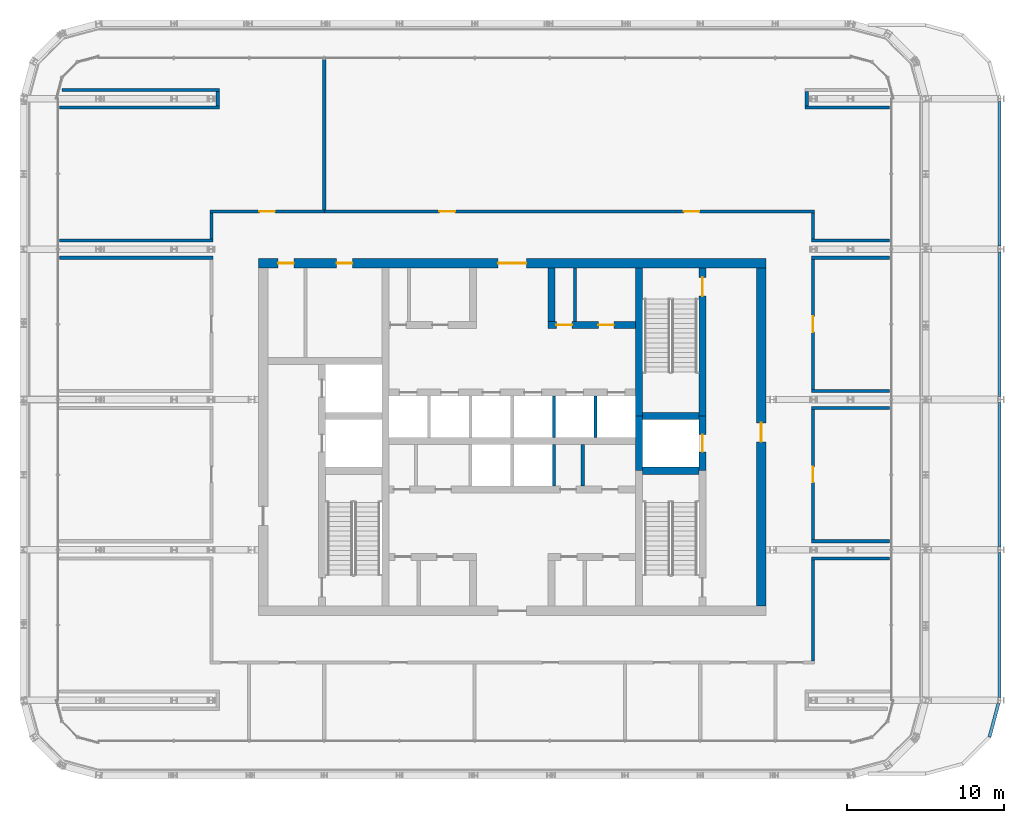
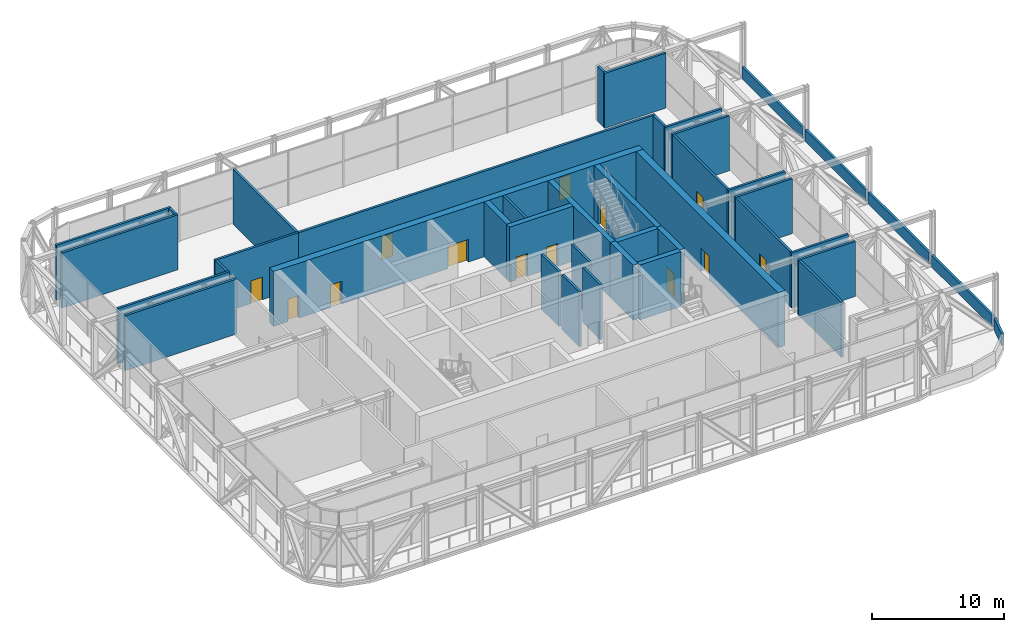
# One storey, part 20 of 26: 41 walls, 13 doors, 13 openings.
"""IFC4 building model written with IfcOpenShell, lengths in metres."""

from ifc_helpers import new_model, si_unit, direction, frame, frame_2d, origin, place, context, subcontext, project, spatial, rectangle, extrude, material, layer, layer_set, type_object, element, fill, save


model = new_model("IFC4")

# Units and contexts
model_context = context("Model", 3, precision=1e-05, world=origin(), true_north=direction((0.0, 1.0)))
body_context = subcontext(model_context, "Body", "Model", "MODEL_VIEW")
ifc_project = project(units=[si_unit("LENGTHUNIT", "METRE"), si_unit("AREAUNIT", "SQUARE_METRE"), si_unit("VOLUMEUNIT", "CUBIC_METRE"), si_unit("PLANEANGLEUNIT", "RADIAN"), si_unit("MASSUNIT", "GRAM", prefix="KILO")], contexts=[model_context])

# Site, building, storey
site_placement = place(None, origin())
site = spatial("IfcSite", under=ifc_project, at=site_placement, CompositionType="ELEMENT")
building_placement = place(site_placement, origin())
building = spatial("IfcBuilding", under=site, at=building_placement, Name="Madar Terraces", CompositionType="ELEMENT")
storey_placement = place(building_placement, frame((0.0, 0.0, 233.300048828125)))
storey = spatial("IfcBuildingStorey", under=building, at=storey_placement, Name="L61", CompositionType="ELEMENT", Elevation=233.300048828125)

# Walls
ifc_material_1 = material(Name="Concrete C55/67", Category="concrete")
ifc_layer_1 = layer(ifc_material_1, 0.449951171875)
ifc_layer_set_1 = layer_set([ifc_layer_1], Name="Concrete C55/67 (CIW5 RC wall 450)")
wall_type_1 = type_object("IfcWallType", Name="CIW5 RC wall 450", PredefinedType="SHEAR", material=ifc_layer_set_1)
wall_1_placement = place(storey_placement, frame((39.300048828125, 24.25, 0.0), z_axis=(0.0, 0.0, 1.0), x_axis=(0.0, 1.0, 0.0)))
element("IfcWall", 1, at=wall_1_placement, inside=storey, type_object=wall_type_1, Name="CORE SHAFT WALL", PredefinedType="SHEAR", context=body_context, shape_type="SweptSolid", body=[
    extrude(rectangle(XDim=3.5, YDim=0.449951171875, at=frame_2d((1.75, 0.0))), origin(), (0.0, 0.0, 1.0), 5.099853515625),
])
wall_2_placement = place(storey_placement, frame((39.300048828125, 27.75, 0.0), z_axis=(0.0, 0.0, 1.0), x_axis=(0.0, 1.0, 0.0)))
element("IfcWall", 2, at=wall_2_placement, inside=storey, type_object=wall_type_1, Name="CORE SHAFT WALL", PredefinedType="SHEAR", context=body_context, shape_type="SweptSolid", body=[
    extrude(rectangle(XDim=9.449951171875, YDim=0.449951171875, at=frame_2d((4.72509765625, 0.0))), origin(), (0.0, 0.0, 1.0), 5.099853515625),
])

# Wall, opening, door
wall_3_placement = place(storey_placement, frame((43.35009765625, 24.25, 0.0), z_axis=(0.0, 0.0, 1.0), x_axis=(0.0, 1.0, 0.0)))
wall_3 = element("IfcWall", 3, at=wall_3_placement, inside=storey, type_object=wall_type_1, Name="CORE SHAFT WALL", PredefinedType="SHEAR", context=body_context, shape_type="SweptSolid", body=[
    extrude(rectangle(XDim=3.5, YDim=0.449951171875, at=frame_2d((1.75, 0.0))), origin(), (0.0, 0.0, 1.0), 5.099853515625),
])
opening_1_placement = place(wall_3_placement, frame((1.199951171875, 0.0, 0.0)))
opening_1 = element("IfcOpeningElement", 4, at=opening_1_placement, cuts=wall_3, Name="Opening LD", PredefinedType="OPENING", context=body_context, shape_type="SweptSolid", body=[
    extrude(rectangle(XDim=1.10009765625, YDim=2.10009765625, at=frame_2d((0.550048828125, 1.050048828125))), frame((0.0, 0.23486328125, 0.0), z_axis=(0.0, -1.0, 0.0), x_axis=(1.0, 0.0, 0.0)), (0.0, 0.0, 1.0), 0.469970703125),
])
ifc_material_2 = material(Name="Stainless steel panel", Category="steel")
door_type_1 = type_object("IfcDoorType", Name="Lift landing door 1100 x 2100", OperationType="DOUBLE_DOOR_SLIDING", PredefinedType="DOOR", material=ifc_material_2)
door_1_placement = place(opening_1_placement, origin())
door_1 = element("IfcDoor", 5, at=door_1_placement, inside=storey, type_object=door_type_1, Name="LIFT LANDING DOOR", OperationType="DOUBLE_DOOR_SLIDING", OverallHeight=2.10009765625, OverallWidth=1.10009765625, PredefinedType="DOOR", context=body_context, shape_type="SweptSolid", body=[
    extrude(rectangle(XDim=1.10009765625, YDim=2.10009765625, at=frame_2d((0.550048828125, 1.050048828125))), frame((0.0, 0.02490234375, 0.0), z_axis=(0.0, -1.0, 0.0), x_axis=(1.0, 0.0, 0.0)), (0.0, 0.0, 1.0), 0.050048828125),
])
fill(opening_1, door_1)

wall_4_placement = place(storey_placement, frame((43.35009765625, 27.75, 0.0), z_axis=(0.0, 0.0, 1.0), x_axis=(0.0, 1.0, 0.0)))
wall_4 = element("IfcWall", 6, at=wall_4_placement, inside=storey, type_object=wall_type_1, Name="CORE SHAFT WALL", PredefinedType="SHEAR", context=body_context, shape_type="SweptSolid", body=[
    extrude(rectangle(XDim=9.449951171875, YDim=0.449951171875, at=frame_2d((4.72509765625, 0.0))), origin(), (0.0, 0.0, 1.0), 5.099853515625),
])
opening_2_placement = place(wall_4_placement, frame((7.64990234375, 0.0, 0.0)))
opening_2 = element("IfcOpeningElement", 7, at=opening_2_placement, cuts=wall_4, Name="Opening SD1", PredefinedType="OPENING", context=body_context, shape_type="SweptSolid", body=[
    extrude(rectangle(XDim=1.199951171875, YDim=2.10009765625, at=frame_2d((0.60009765625, 1.050048828125))), frame((0.0, 0.23486328125, 0.0), z_axis=(0.0, -1.0, 0.0), x_axis=(1.0, 0.0, 0.0)), (0.0, 0.0, 1.0), 0.469970703125),
])
ifc_material_3 = material(Name="Steel door leaf", Category="steel")
door_type_2 = type_object("IfcDoorType", Name="Stair door 1200 x 2100", OperationType="NOTDEFINED", PredefinedType="DOOR", material=ifc_material_3)
door_2_placement = place(opening_2_placement, origin())
door_2 = element("IfcDoor", 8, at=door_2_placement, inside=storey, type_object=door_type_2, Name="STAIR DOOR", OperationType="SINGLE_SWING_LEFT", OverallHeight=2.10009765625, OverallWidth=1.199951171875, PredefinedType="DOOR", context=body_context, shape_type="SweptSolid", body=[
    extrude(rectangle(XDim=1.199951171875, YDim=2.10009765625, at=frame_2d((0.60009765625, 1.050048828125))), frame((0.0, 0.02490234375, 0.0), z_axis=(0.0, -1.0, 0.0), x_axis=(1.0, 0.0, 0.0)), (0.0, 0.0, 1.0), 0.050048828125),
])
fill(opening_2, door_2)

# Walls
for number, where, z_axis, x_axis, name in (
    (9, (39.52490234375, 24.25, 0.0), (0.0, 0.0, 1.0), (1.0, 0.0, 0.0), "CORE SHAFT WALL"),
    (10, (39.52490234375, 27.75, 0.0), (0.0, 0.0, 1.0), (1.0, 0.0, 0.0), "CORE SHAFT WALL"),
):
    element("IfcWall", number, at=place(storey_placement, frame(where, z_axis=z_axis, x_axis=x_axis)), inside=storey, type_object=wall_type_1, Name=name, PredefinedType="SHEAR", context=body_context, shape_type="SweptSolid", body=[
        extrude(rectangle(XDim=3.60009765625, YDim=0.449951171875, at=frame_2d((1.800048828125, 0.0))), origin(), (0.0, 0.0, 1.0), 5.099853515625),
    ])

# Wall, openings, doors
wall_5_placement = place(storey_placement, frame((33.47509765625, 33.550048828125, 0.0), z_axis=(0.0, 0.0, 1.0), x_axis=(1.0, 0.0, 0.0)))
wall_5 = element("IfcWall", 11, at=wall_5_placement, inside=storey, type_object=wall_type_1, Name="CORE SHAFT WALL", PredefinedType="SHEAR", context=body_context, shape_type="SweptSolid", body=[
    extrude(rectangle(XDim=5.599853515625, YDim=0.449951171875, at=frame_2d((2.7998046875, 0.0))), origin(), (0.0, 0.0, 1.0), 5.099853515625),
])
opening_3_placement = place(wall_5_placement, frame((0.543701171875, 0.0, 0.0)))
opening_3 = element("IfcOpeningElement", 12, at=opening_3_placement, cuts=wall_5, Name="Opening KD2", PredefinedType="OPENING", context=body_context, shape_type="SweptSolid", body=[
    extrude(rectangle(XDim=1.0, YDim=2.10009765625, at=frame_2d((0.5, 1.050048828125))), frame((0.0, 0.23486328125, 0.0), z_axis=(0.0, -1.0, 0.0), x_axis=(1.0, 0.0, 0.0)), (0.0, 0.0, 1.0), 0.469970703125),
])
opening_4_placement = place(wall_5_placement, frame((3.21875, 0.0, 0.0)))
opening_4 = element("IfcOpeningElement", 13, at=opening_4_placement, cuts=wall_5, Name="Opening KD2", PredefinedType="OPENING", context=body_context, shape_type="SweptSolid", body=[
    extrude(rectangle(XDim=1.0, YDim=2.10009765625, at=frame_2d((0.5, 1.050048828125))), frame((0.0, 0.23486328125, 0.0), z_axis=(0.0, -1.0, 0.0), x_axis=(1.0, 0.0, 0.0)), (0.0, 0.0, 1.0), 0.469970703125),
])
ifc_material_4 = material(Name="Steel door leaf", Category="steel")
door_type_3 = type_object("IfcDoorType", Name="Service room door 1000 x 2100", OperationType="NOTDEFINED", PredefinedType="DOOR", material=ifc_material_4)
door_3_placement = place(opening_3_placement, frame((1.0, 0.0, 0.0), z_axis=(0.0, 0.0, 1.0), x_axis=(-1.0, 0.0, 0.0)))
door_3 = element("IfcDoor", 14, at=door_3_placement, inside=storey, type_object=door_type_3, Name="SERVICE ROOM DOOR", OperationType="SINGLE_SWING_RIGHT", OverallHeight=2.10009765625, OverallWidth=1.0, PredefinedType="DOOR", context=body_context, shape_type="SweptSolid", body=[
    extrude(rectangle(XDim=1.0, YDim=2.10009765625, at=frame_2d((0.5, 1.050048828125))), frame((0.0, 0.02490234375, 0.0), z_axis=(0.0, -1.0, 0.0), x_axis=(1.0, 0.0, 0.0)), (0.0, 0.0, 1.0), 0.050048828125),
])
fill(opening_3, door_3)
door_4_placement = place(opening_4_placement, frame((1.0, 0.0, 0.0), z_axis=(0.0, 0.0, 1.0), x_axis=(-1.0, 0.0, 0.0)))
door_4 = element("IfcDoor", 15, at=door_4_placement, inside=storey, type_object=door_type_3, Name="SERVICE ROOM DOOR", OperationType="SINGLE_SWING_LEFT", OverallHeight=2.10009765625, OverallWidth=1.0, PredefinedType="DOOR", context=body_context, shape_type="SweptSolid", body=[
    extrude(rectangle(XDim=1.0, YDim=2.10009765625, at=frame_2d((0.5, 1.050048828125))), frame((0.0, 0.02490234375, 0.0), z_axis=(0.0, -1.0, 0.0), x_axis=(1.0, 0.0, 0.0)), (0.0, 0.0, 1.0), 0.050048828125),
])
fill(opening_4, door_4)

# Wall
wall_6_placement = place(storey_placement, frame((33.699951171875, 33.77490234375, 0.0), z_axis=(0.0, 0.0, 1.0), x_axis=(0.0, 1.0, 0.0)))
element("IfcWall", 16, at=wall_6_placement, inside=storey, type_object=wall_type_1, Name="CORE SHAFT WALL", PredefinedType="SHEAR", context=body_context, shape_type="SweptSolid", body=[
    extrude(rectangle(XDim=3.425048828125, YDim=0.449951171875, at=frame_2d((1.71240234375, 0.0))), origin(), (0.0, 0.0, 1.0), 5.099853515625),
])

# Wall, openings, doors
ifc_material_5 = material(Name="Concrete C55/67", Category="concrete")
ifc_layer_2 = layer(ifc_material_5, 0.60009765625)
ifc_layer_set_2 = layer_set([ifc_layer_2], Name="Concrete C55/67 (CRW5 RC wall 600)")
wall_type_2 = type_object("IfcWallType", Name="CRW5 RC wall 600", PredefinedType="SHEAR", material=ifc_layer_set_2)
wall_7_placement = place(storey_placement, frame((15.0, 37.5, 0.0), z_axis=(0.0, 0.0, 1.0), x_axis=(1.0, 0.0, 0.0)))
wall_7 = element("IfcWall", 17, at=wall_7_placement, inside=storey, type_object=wall_type_2, Name="CORE OUTER WALL", PredefinedType="SHEAR", context=body_context, shape_type="SweptSolid", body=[
    extrude(rectangle(XDim=32.39990234375, YDim=0.60009765625, at=frame_2d((16.199951171875, 0.0))), origin(), (0.0, 0.0, 1.0), 5.099853515625),
])
opening_5_placement = place(wall_7_placement, frame((15.300048828125, 0.0, 0.0)))
opening_5 = element("IfcOpeningElement", 18, at=opening_5_placement, cuts=wall_7, Name="Opening KD1", PredefinedType="OPENING", context=body_context, shape_type="SweptSolid", body=[
    extrude(rectangle(XDim=1.800048828125, YDim=2.10009765625, at=frame_2d((0.89990234375, 1.050048828125))), frame((0.0, 0.31005859375, 0.0), z_axis=(0.0, -1.0, 0.0), x_axis=(1.0, 0.0, 0.0)), (0.0, 0.0, 1.0), 0.6201171875),
])
opening_6_placement = place(wall_7_placement, frame((1.25048828125, 0.0, 0.0)))
opening_6 = element("IfcOpeningElement", 19, at=opening_6_placement, cuts=wall_7, Name="Opening KD2", PredefinedType="OPENING", context=body_context, shape_type="SweptSolid", body=[
    extrude(rectangle(XDim=1.0, YDim=2.10009765625, at=frame_2d((0.5, 1.050048828125))), frame((0.0, 0.31005859375, 0.0), z_axis=(0.0, -1.0, 0.0), x_axis=(1.0, 0.0, 0.0)), (0.0, 0.0, 1.0), 0.6201171875),
])
opening_7_placement = place(wall_7_placement, frame((4.98779296875, 0.0, 0.0)))
opening_7 = element("IfcOpeningElement", 20, at=opening_7_placement, cuts=wall_7, Name="Opening KD2", PredefinedType="OPENING", context=body_context, shape_type="SweptSolid", body=[
    extrude(rectangle(XDim=1.0, YDim=2.10009765625, at=frame_2d((0.5, 1.050048828125))), frame((0.0, 0.31005859375, 0.0), z_axis=(0.0, -1.0, 0.0), x_axis=(1.0, 0.0, 0.0)), (0.0, 0.0, 1.0), 0.6201171875),
])
ifc_material_6 = material(Name="Steel door leaf", Category="steel")
door_type_4 = type_object("IfcDoorType", Name="Lobby door pair 1800 x 2100", OperationType="DOUBLE_DOOR_SINGLE_SWING", PredefinedType="DOOR", material=ifc_material_6)
door_5_placement = place(opening_5_placement, origin())
door_5 = element("IfcDoor", 21, at=door_5_placement, inside=storey, type_object=door_type_4, Name="LIFT LOBBY DOOR", OperationType="DOUBLE_DOOR_SINGLE_SWING", OverallHeight=2.10009765625, OverallWidth=1.800048828125, PredefinedType="DOOR", context=body_context, shape_type="SweptSolid", body=[
    extrude(rectangle(XDim=1.800048828125, YDim=2.10009765625, at=frame_2d((0.89990234375, 1.050048828125))), frame((0.0, 0.02490234375, 0.0), z_axis=(0.0, -1.0, 0.0), x_axis=(1.0, 0.0, 0.0)), (0.0, 0.0, 1.0), 0.050048828125),
])
fill(opening_5, door_5)
door_6_placement = place(opening_6_placement, origin())
door_6 = element("IfcDoor", 22, at=door_6_placement, inside=storey, type_object=door_type_3, Name="SERVICE ROOM DOOR", OperationType="SINGLE_SWING_RIGHT", OverallHeight=2.10009765625, OverallWidth=1.0, PredefinedType="DOOR", context=body_context, shape_type="SweptSolid", body=[
    extrude(rectangle(XDim=1.0, YDim=2.10009765625, at=frame_2d((0.5, 1.050048828125))), frame((0.0, 0.02490234375, 0.0), z_axis=(0.0, -1.0, 0.0), x_axis=(1.0, 0.0, 0.0)), (0.0, 0.0, 1.0), 0.050048828125),
])
fill(opening_6, door_6)
door_7_placement = place(opening_7_placement, origin())
door_7 = element("IfcDoor", 23, at=door_7_placement, inside=storey, type_object=door_type_3, Name="SERVICE ROOM DOOR", OperationType="SINGLE_SWING_LEFT", OverallHeight=2.10009765625, OverallWidth=1.0, PredefinedType="DOOR", context=body_context, shape_type="SweptSolid", body=[
    extrude(rectangle(XDim=1.0, YDim=2.10009765625, at=frame_2d((0.5, 1.050048828125))), frame((0.0, 0.02490234375, 0.0), z_axis=(0.0, -1.0, 0.0), x_axis=(1.0, 0.0, 0.0)), (0.0, 0.0, 1.0), 0.050048828125),
])
fill(opening_7, door_7)

# Wall, opening, door
wall_8_placement = place(storey_placement, frame((47.10009765625, 15.60009765625, 0.0), z_axis=(0.0, 0.0, 1.0), x_axis=(0.0, 1.0, 0.0)))
wall_8 = element("IfcWall", 24, at=wall_8_placement, inside=storey, type_object=wall_type_2, Name="CORE OUTER WALL", PredefinedType="SHEAR", context=body_context, shape_type="SweptSolid", body=[
    extrude(rectangle(XDim=21.599853515625, YDim=0.60009765625, at=frame_2d((10.7998046875, 0.0))), origin(), (0.0, 0.0, 1.0), 5.099853515625),
])
opening_8_placement = place(wall_8_placement, frame((10.5, 0.0, 0.0)))
opening_8 = element("IfcOpeningElement", 25, at=opening_8_placement, cuts=wall_8, Name="Opening SD1", PredefinedType="OPENING", context=body_context, shape_type="SweptSolid", body=[
    extrude(rectangle(XDim=1.199951171875, YDim=2.10009765625, at=frame_2d((0.60009765625, 1.050048828125))), frame((0.0, 0.31005859375, 0.0), z_axis=(0.0, -1.0, 0.0), x_axis=(1.0, 0.0, 0.0)), (0.0, 0.0, 1.0), 0.6201171875),
])
door_8_placement = place(opening_8_placement, origin())
door_8 = element("IfcDoor", 26, at=door_8_placement, inside=storey, type_object=door_type_2, Name="STAIR DOOR", OperationType="SINGLE_SWING_LEFT", OverallHeight=2.10009765625, OverallWidth=1.199951171875, PredefinedType="DOOR", context=body_context, shape_type="SweptSolid", body=[
    extrude(rectangle(XDim=1.199951171875, YDim=2.10009765625, at=frame_2d((0.60009765625, 1.050048828125))), frame((0.0, 0.02490234375, 0.0), z_axis=(0.0, -1.0, 0.0), x_axis=(1.0, 0.0, 0.0)), (0.0, 0.0, 1.0), 0.050048828125),
])
fill(opening_8, door_8)

# Walls
ifc_material_7 = material(Name="Masonry blockwork", Category="masonry")
ifc_layer_3 = layer(ifc_material_7, 0.199951171875)
ifc_layer_set_3 = layer_set([ifc_layer_3], Name="Core partition 200 blockwork")
wall_type_3 = type_object("IfcWallType", Name="Core partition 200 blockwork", PredefinedType="PARTITIONING", material=ifc_layer_set_3)
wall_9_placement = place(storey_placement, frame((35.697998046875, 23.27490234375, 0.0), z_axis=(0.0, 0.0, 1.0), x_axis=(0.0, 1.0, 0.0)))
element("IfcWall", 27, at=wall_9_placement, inside=storey, type_object=wall_type_3, Name="SERVICE ROOM PARTITION", PredefinedType="PARTITIONING", context=body_context, shape_type="SweptSolid", body=[
    extrude(rectangle(XDim=2.650146484375, YDim=0.199951171875, at=frame_2d((1.3251953125, 0.0))), origin(), (0.0, 0.0, 1.0), 5.099853515625),
])
wall_10_placement = place(storey_placement, frame((35.21240234375, 33.77490234375, 0.0), z_axis=(0.0, 0.0, 1.0), x_axis=(0.0, 1.0, 0.0)))
element("IfcWall", 28, at=wall_10_placement, inside=storey, type_object=wall_type_3, Name="SERVICE ROOM PARTITION", PredefinedType="PARTITIONING", context=body_context, shape_type="SweptSolid", body=[
    extrude(rectangle(XDim=3.425048828125, YDim=0.199951171875, at=frame_2d((1.71240234375, 0.0))), origin(), (0.0, 0.0, 1.0), 5.099853515625),
])
ifc_material_8 = material(Name="Concrete C40/50", Category="concrete")
ifc_layer_4 = layer(ifc_material_8, 0.199951171875)
ifc_layer_set_4 = layer_set([ifc_layer_4], Name="Core shaft dividing wall 200 C40/50")
wall_type_4 = type_object("IfcWallType", Name="Core shaft dividing wall 200 C40/50", PredefinedType="SOLIDWALL", material=ifc_layer_set_4)
wall_11_placement = place(storey_placement, frame((33.8583984375, 23.27490234375, 0.0), z_axis=(0.0, 0.0, 1.0), x_axis=(0.0, 1.0, 0.0)))
element("IfcWall", 29, at=wall_11_placement, inside=storey, type_object=wall_type_4, Name="SHAFT DIVIDING WALL", PredefinedType="SOLIDWALL", context=body_context, shape_type="SweptSolid", body=[
    extrude(rectangle(XDim=2.650146484375, YDim=0.199951171875, at=frame_2d((1.3251953125, 0.0))), origin(), (0.0, 0.0, 1.0), 5.099853515625),
])
for number, where, z_axis, x_axis, name in (
    (30, (33.8583984375, 26.375, 0.0), (0.0, 0.0, 1.0), (0.0, 1.0, 0.0), "SHAFT DIVIDING WALL"),
    (31, (36.5166015625, 26.375, 0.0), (0.0, 0.0, 1.0), (0.0, 1.0, 0.0), "SHAFT DIVIDING WALL"),
):
    element("IfcWall", number, at=place(storey_placement, frame(where, z_axis=z_axis, x_axis=x_axis)), inside=storey, type_object=wall_type_4, Name=name, PredefinedType="SOLIDWALL", context=body_context, shape_type="SweptSolid", body=[
        extrude(rectangle(XDim=2.64990234375, YDim=0.199951171875, at=frame_2d((1.324951171875, 0.0))), origin(), (0.0, 0.0, 1.0), 5.099853515625),
    ])
ifc_material_9 = material(Name="Blockwork", Category="masonry")
ifc_layer_5 = layer(ifc_material_9, 0.199951171875)
ifc_layer_set_5 = layer_set([ifc_layer_5], Name="Partition 200 EI 120")
wall_type_5 = type_object("IfcWallType", Name="Partition 200 EI 120", PredefinedType="PARTITIONING", material=ifc_layer_set_5)
for number, where, z_axis, x_axis, name in (
    (32, (50.300048828125, 18.64990234375, 0.0), (0.0, 0.0, 1.0), (1.0, 0.0, 0.0), "Wall TRANSFORMER ROOM / TRUSS SLOT"),
    (33, (50.300048828125, 19.75, 0.0), (0.0, 0.0, 1.0), (1.0, 0.0, 0.0), "Wall STORE PLANT ROOM / TRUSS SLOT"),
    (34, (50.300048828125, 28.25, 0.0), (0.0, 0.0, 1.0), (1.0, 0.0, 0.0), "Wall STORE PLANT ROOM / TRUSS SLOT"),
    (35, (50.300048828125, 29.35009765625, 0.0), (0.0, 0.0, 1.0), (1.0, 0.0, 0.0), "Wall SPRINKLER TANK ROOM / TRUSS SLOT"),
):
    element("IfcWall", number, at=place(storey_placement, frame(where, z_axis=z_axis, x_axis=x_axis)), inside=storey, type_object=wall_type_5, Name=name, PredefinedType="PARTITIONING", context=body_context, shape_type="SweptSolid", body=[
        extrude(rectangle(XDim=5.0, YDim=0.199951171875, at=frame_2d((2.5, 0.0))), origin(), (0.0, 0.0, 1.0), 5.099853515625),
    ])
wall_12_placement = place(storey_placement, frame((2.300048828125, 37.85009765625, 0.0), z_axis=(0.0, 0.0, 1.0), x_axis=(1.0, 0.0, 0.0)))
element("IfcWall", 36, at=wall_12_placement, inside=storey, type_object=wall_type_5, Name="Wall ELECTRICAL SWITCH ROOM / TRUSS SLOT", PredefinedType="PARTITIONING", context=body_context, shape_type="SweptSolid", body=[
    extrude(rectangle(XDim=9.800048828125, YDim=0.199951171875, at=frame_2d((4.89990234375, 0.0))), origin(), (0.0, 0.0, 1.0), 5.099853515625),
])
wall_13_placement = place(storey_placement, frame((50.300048828125, 37.85009765625, 0.0), z_axis=(0.0, 0.0, 1.0), x_axis=(1.0, 0.0, 0.0)))
element("IfcWall", 37, at=wall_13_placement, inside=storey, type_object=wall_type_5, Name="Wall SPRINKLER TANK ROOM / TRUSS SLOT", PredefinedType="PARTITIONING", context=body_context, shape_type="SweptSolid", body=[
    extrude(rectangle(XDim=5.0, YDim=0.199951171875, at=frame_2d((2.5, 0.0))), origin(), (0.0, 0.0, 1.0), 5.099853515625),
])
wall_14_placement = place(storey_placement, frame((2.300048828125, 38.949951171875, 0.0), z_axis=(0.0, 0.0, 1.0), x_axis=(1.0, 0.0, 0.0)))
element("IfcWall", 38, at=wall_14_placement, inside=storey, type_object=wall_type_5, Name="Wall AIR HANDLING PLANT ROOM / TRUSS SLOT", PredefinedType="PARTITIONING", context=body_context, shape_type="SweptSolid", body=[
    extrude(rectangle(XDim=9.800048828125, YDim=0.199951171875, at=frame_2d((4.89990234375, 0.0))), origin(), (0.0, 0.0, 1.0), 5.099853515625),
])

# Wall, opening, door
wall_15_placement = place(storey_placement, frame((11.89990234375, 40.800048828125, 0.0), z_axis=(0.0, 0.0, 1.0), x_axis=(1.0, 0.0, 0.0)))
wall_15 = element("IfcWall", 39, at=wall_15_placement, inside=storey, type_object=wall_type_5, Name="Wall AIR HANDLING PLANT ROOM / RING CORRIDOR", PredefinedType="PARTITIONING", context=body_context, shape_type="SweptSolid", body=[
    extrude(rectangle(XDim=7.300048828125, YDim=0.199951171875, at=frame_2d((3.64990234375, 0.0))), origin(), (0.0, 0.0, 1.0), 5.099853515625),
])
opening_9_placement = place(wall_15_placement, frame((3.14990234375, 0.0, 0.0)))
opening_9 = element("IfcOpeningElement", 40, at=opening_9_placement, cuts=wall_15, Name="Opening D33", PredefinedType="OPENING", context=body_context, shape_type="SweptSolid", body=[
    extrude(rectangle(XDim=1.0, YDim=2.10009765625, at=frame_2d((0.5, 1.050048828125))), frame((0.0, 0.10986328125, 0.0), z_axis=(0.0, -1.0, 0.0), x_axis=(1.0, 0.0, 0.0)), (0.0, 0.0, 1.0), 0.219970703125),
])
ifc_material_10 = material(Name="Timber door leaf, fire-rated", Category="wood")
door_type_5 = type_object("IfcDoorType", Name="Podium door 1000 x 2100 FD90S", OperationType="NOTDEFINED", PredefinedType="DOOR", material=ifc_material_10)
door_9_placement = place(opening_9_placement, origin())
door_9 = element("IfcDoor", 41, at=door_9_placement, inside=storey, type_object=door_type_5, Name="Door AIR HANDLING PLANT ROOM / RING CORRIDOR", OperationType="SINGLE_SWING_RIGHT", OverallHeight=2.10009765625, OverallWidth=1.0, PredefinedType="DOOR", context=body_context, shape_type="SweptSolid", body=[
    extrude(rectangle(XDim=1.0, YDim=2.10009765625, at=frame_2d((0.5, 1.050048828125))), frame((0.0, 0.02490234375, 0.0), z_axis=(0.0, -1.0, 0.0), x_axis=(1.0, 0.0, 0.0)), (0.0, 0.0, 1.0), 0.050048828125),
])
fill(opening_9, door_9)

# Walls
wall_16_placement = place(storey_placement, frame((2.300048828125, 47.449951171875, 0.0), z_axis=(0.0, 0.0, 1.0), x_axis=(1.0, 0.0, 0.0)))
element("IfcWall", 42, at=wall_16_placement, inside=storey, type_object=wall_type_5, Name="Wall AIR HANDLING PLANT ROOM / TRUSS SLOT", PredefinedType="PARTITIONING", context=body_context, shape_type="SweptSolid", body=[
    extrude(rectangle(XDim=10.199951171875, YDim=0.199951171875, at=frame_2d((5.10009765625, 0.0))), origin(), (0.0, 0.0, 1.0), 5.099853515625),
])
wall_17_placement = place(storey_placement, frame((2.449951171875, 48.550048828125, 0.0), z_axis=(0.0, 0.0, 1.0), x_axis=(1.0, 0.0, 0.0)))
element("IfcWall", 43, at=wall_17_placement, inside=storey, type_object=wall_type_5, Name="Wall AIR HANDLING PLANT ROOM / TRUSS SLOT", PredefinedType="PARTITIONING", context=body_context, shape_type="SweptSolid", body=[
    extrude(rectangle(XDim=10.050048828125, YDim=0.199951171875, at=frame_2d((5.02490234375, 0.0))), origin(), (0.0, 0.0, 1.0), 5.099853515625),
])
wall_18_placement = place(storey_placement, frame((12.0, 39.050048828125, 0.0), z_axis=(0.0, 0.0, 1.0), x_axis=(0.0, 1.0, 0.0)))
element("IfcWall", 44, at=wall_18_placement, inside=storey, type_object=wall_type_5, Name="Wall AIR HANDLING PLANT ROOM / RING CORRIDOR", PredefinedType="PARTITIONING", context=body_context, shape_type="SweptSolid", body=[
    extrude(rectangle(XDim=1.64990234375, YDim=0.199951171875, at=frame_2d((0.824951171875, 0.0))), origin(), (0.0, 0.0, 1.0), 5.099853515625),
])
wall_19_placement = place(storey_placement, frame((12.39990234375, 47.550048828125, 0.0), z_axis=(0.0, 0.0, 1.0), x_axis=(0.0, 1.0, 0.0)))
element("IfcWall", 45, at=wall_19_placement, inside=storey, type_object=wall_type_5, Name="Wall AIR HANDLING PLANT ROOM / TRUSS SLOT", PredefinedType="PARTITIONING", context=body_context, shape_type="SweptSolid", body=[
    extrude(rectangle(XDim=0.89990234375, YDim=0.199951171875, at=frame_2d((0.449951171875, 0.0))), origin(), (0.0, 0.0, 1.0), 5.099853515625),
])
wall_20_placement = place(storey_placement, frame((19.199951171875, 40.89990234375, 0.0), z_axis=(0.0, 0.0, 1.0), x_axis=(0.0, 1.0, 0.0)))
element("IfcWall", 46, at=wall_20_placement, inside=storey, type_object=wall_type_5, Name="Wall AIR HANDLING PLANT ROOM / REFUGE AREA R4", PredefinedType="PARTITIONING", context=body_context, shape_type="SweptSolid", body=[
    extrude(rectangle(XDim=9.60009765625, YDim=0.199951171875, at=frame_2d((4.800048828125, 0.0))), origin(), (0.0, 0.0, 1.0), 5.099853515625),
])
wall_21_placement = place(storey_placement, frame((50.39990234375, 12.10009765625, 0.0), z_axis=(0.0, 0.0, 1.0), x_axis=(0.0, 1.0, 0.0)))
element("IfcWall", 47, at=wall_21_placement, inside=storey, type_object=wall_type_5, Name="Wall TRANSFORMER ROOM / RING CORRIDOR", PredefinedType="PARTITIONING", context=body_context, shape_type="SweptSolid", body=[
    extrude(rectangle(XDim=6.449951171875, YDim=0.199951171875, at=frame_2d((3.22509765625, 0.0))), origin(), (0.0, 0.0, 1.0), 5.099853515625),
])

# Wall, opening, door
wall_22_placement = place(storey_placement, frame((50.39990234375, 28.14990234375, 0.0), z_axis=(0.0, 0.0, 1.0), x_axis=(0.0, -1.0, 0.0)))
wall_22 = element("IfcWall", 48, at=wall_22_placement, inside=storey, type_object=wall_type_5, Name="Wall STORE PLANT ROOM / RING CORRIDOR", PredefinedType="PARTITIONING", context=body_context, shape_type="SweptSolid", body=[
    extrude(rectangle(XDim=8.2998046875, YDim=0.199951171875, at=frame_2d((4.14990234375, 0.0))), origin(), (0.0, 0.0, 1.0), 5.099853515625),
])
opening_10_placement = place(wall_22_placement, frame((3.64990234375, 0.0, 0.0)))
opening_10 = element("IfcOpeningElement", 49, at=opening_10_placement, cuts=wall_22, Name="Opening D33", PredefinedType="OPENING", context=body_context, shape_type="SweptSolid", body=[
    extrude(rectangle(XDim=1.0, YDim=2.10009765625, at=frame_2d((0.5, 1.050048828125))), frame((0.0, 0.10986328125, 0.0), z_axis=(0.0, -1.0, 0.0), x_axis=(1.0, 0.0, 0.0)), (0.0, 0.0, 1.0), 0.219970703125),
])
door_10_placement = place(opening_10_placement, origin())
door_10 = element("IfcDoor", 50, at=door_10_placement, inside=storey, type_object=door_type_5, Name="Door STORE PLANT ROOM / RING CORRIDOR", OperationType="SINGLE_SWING_LEFT", OverallHeight=2.10009765625, OverallWidth=1.0, PredefinedType="DOOR", context=body_context, shape_type="SweptSolid", body=[
    extrude(rectangle(XDim=1.0, YDim=2.10009765625, at=frame_2d((0.5, 1.050048828125))), frame((0.0, 0.02490234375, 0.0), z_axis=(0.0, -1.0, 0.0), x_axis=(1.0, 0.0, 0.0)), (0.0, 0.0, 1.0), 0.050048828125),
])
fill(opening_10, door_10)

wall_23_placement = place(storey_placement, frame((50.39990234375, 37.75, 0.0), z_axis=(0.0, 0.0, 1.0), x_axis=(0.0, -1.0, 0.0)))
wall_23 = element("IfcWall", 51, at=wall_23_placement, inside=storey, type_object=wall_type_5, Name="Wall SPRINKLER TANK ROOM / RING CORRIDOR", PredefinedType="PARTITIONING", context=body_context, shape_type="SweptSolid", body=[
    extrude(rectangle(XDim=8.300048828125, YDim=0.199951171875, at=frame_2d((4.14990234375, 0.0))), origin(), (0.0, 0.0, 1.0), 5.099853515625),
])
opening_11_placement = place(wall_23_placement, frame((3.64990234375, 0.0, 0.0)))
opening_11 = element("IfcOpeningElement", 52, at=opening_11_placement, cuts=wall_23, Name="Opening D33", PredefinedType="OPENING", context=body_context, shape_type="SweptSolid", body=[
    extrude(rectangle(XDim=1.0, YDim=2.10009765625, at=frame_2d((0.5, 1.050048828125))), frame((0.0, 0.10986328125, 0.0), z_axis=(0.0, -1.0, 0.0), x_axis=(1.0, 0.0, 0.0)), (0.0, 0.0, 1.0), 0.219970703125),
])
door_11_placement = place(opening_11_placement, origin())
door_11 = element("IfcDoor", 53, at=door_11_placement, inside=storey, type_object=door_type_5, Name="Door SPRINKLER TANK ROOM / RING CORRIDOR", OperationType="SINGLE_SWING_LEFT", OverallHeight=2.10009765625, OverallWidth=1.0, PredefinedType="DOOR", context=body_context, shape_type="SweptSolid", body=[
    extrude(rectangle(XDim=1.0, YDim=2.10009765625, at=frame_2d((0.5, 1.050048828125))), frame((0.0, 0.02490234375, 0.0), z_axis=(0.0, -1.0, 0.0), x_axis=(1.0, 0.0, 0.0)), (0.0, 0.0, 1.0), 0.050048828125),
])
fill(opening_11, door_11)

# Wall, openings, doors
ifc_material_11 = material(Name="Gypsum board partition, fire-rated")
ifc_layer_6 = layer(ifc_material_11, 0.199951171875)
ifc_layer_set_6 = layer_set([ifc_layer_6], Name="Partition 200 EI 60")
wall_type_6 = type_object("IfcWallType", Name="Partition 200 EI 60", PredefinedType="PARTITIONING", material=ifc_layer_set_6)
wall_24_placement = place(storey_placement, frame((50.5, 40.800048828125, 0.0), z_axis=(0.0, 0.0, 1.0), x_axis=(-1.0, 0.0, 0.0)))
wall_24 = element("IfcWall", 54, at=wall_24_placement, inside=storey, type_object=wall_type_6, Name="Wall REFUGE AREA R4 / RING CORRIDOR", PredefinedType="PARTITIONING", context=body_context, shape_type="SweptSolid", body=[
    extrude(rectangle(XDim=31.300048828125, YDim=0.199951171875, at=frame_2d((15.64990234375, 0.0))), origin(), (0.0, 0.0, 1.0), 5.099853515625),
])
opening_12_placement = place(wall_24_placement, frame((22.949951171875, 0.0, 0.0)))
opening_12 = element("IfcOpeningElement", 55, at=opening_12_placement, cuts=wall_24, Name="Opening D31", PredefinedType="OPENING", context=body_context, shape_type="SweptSolid", body=[
    extrude(rectangle(XDim=1.0, YDim=2.10009765625, at=frame_2d((0.5, 1.050048828125))), frame((0.0, 0.10986328125, 0.0), z_axis=(0.0, -1.0, 0.0), x_axis=(1.0, 0.0, 0.0)), (0.0, 0.0, 1.0), 0.219970703125),
])
opening_13_placement = place(wall_24_placement, frame((7.35009765625, 0.0, 0.0)))
opening_13 = element("IfcOpeningElement", 56, at=opening_13_placement, cuts=wall_24, Name="Opening D31", PredefinedType="OPENING", context=body_context, shape_type="SweptSolid", body=[
    extrude(rectangle(XDim=1.0, YDim=2.10009765625, at=frame_2d((0.5, 1.050048828125))), frame((0.0, 0.10986328125, 0.0), z_axis=(0.0, -1.0, 0.0), x_axis=(1.0, 0.0, 0.0)), (0.0, 0.0, 1.0), 0.219970703125),
])
ifc_material_12 = material(Name="Timber door leaf, fire-rated", Category="wood")
door_type_6 = type_object("IfcDoorType", Name="Podium door 1000 x 2100 FD30S", OperationType="NOTDEFINED", PredefinedType="DOOR", material=ifc_material_12)
door_12_placement = place(opening_12_placement, origin())
door_12 = element("IfcDoor", 57, at=door_12_placement, inside=storey, type_object=door_type_6, Name="Door REFUGE AREA R4 / RING CORRIDOR", OperationType="SINGLE_SWING_RIGHT", OverallHeight=2.10009765625, OverallWidth=1.0, PredefinedType="DOOR", context=body_context, shape_type="SweptSolid", body=[
    extrude(rectangle(XDim=1.0, YDim=2.10009765625, at=frame_2d((0.5, 1.050048828125))), frame((0.0, 0.02490234375, 0.0), z_axis=(0.0, -1.0, 0.0), x_axis=(1.0, 0.0, 0.0)), (0.0, 0.0, 1.0), 0.050048828125),
])
fill(opening_12, door_12)
door_13_placement = place(opening_13_placement, origin())
door_13 = element("IfcDoor", 58, at=door_13_placement, inside=storey, type_object=door_type_6, Name="Door REFUGE AREA R4 / RING CORRIDOR", OperationType="SINGLE_SWING_LEFT", OverallHeight=2.10009765625, OverallWidth=1.0, PredefinedType="DOOR", context=body_context, shape_type="SweptSolid", body=[
    extrude(rectangle(XDim=1.0, YDim=2.10009765625, at=frame_2d((0.5, 1.050048828125))), frame((0.0, 0.02490234375, 0.0), z_axis=(0.0, -1.0, 0.0), x_axis=(1.0, 0.0, 0.0)), (0.0, 0.0, 1.0), 0.050048828125),
])
fill(opening_13, door_13)

# Walls
wall_25_placement = place(storey_placement, frame((50.39990234375, 39.050048828125, 0.0), z_axis=(0.0, 0.0, 1.0), x_axis=(0.0, 1.0, 0.0)))
element("IfcWall", 59, at=wall_25_placement, inside=storey, type_object=wall_type_6, Name="Wall REFUGE AREA R4 / RING CORRIDOR", PredefinedType="PARTITIONING", context=body_context, shape_type="SweptSolid", body=[
    extrude(rectangle(XDim=1.64990234375, YDim=0.199951171875, at=frame_2d((0.824951171875, 0.0))), origin(), (0.0, 0.0, 1.0), 5.099853515625),
])
ifc_material_13 = material(Name="Gypsum board partition on metal studs")
ifc_layer_7 = layer(ifc_material_13, 0.199951171875)
ifc_layer_set_7 = layer_set([ifc_layer_7], Name="Partition 200 plain")
wall_type_7 = type_object("IfcWallType", Name="Partition 200 plain", PredefinedType="PARTITIONING", material=ifc_layer_set_7)
wall_26_placement = place(storey_placement, frame((50.300048828125, 38.949951171875, 0.0), z_axis=(0.0, 0.0, 1.0), x_axis=(1.0, 0.0, 0.0)))
element("IfcWall", 60, at=wall_26_placement, inside=storey, type_object=wall_type_7, Name="Wall REFUGE AREA R4 / TRUSS SLOT", PredefinedType="PARTITIONING", context=body_context, shape_type="SweptSolid", body=[
    extrude(rectangle(XDim=5.0, YDim=0.199951171875, at=frame_2d((2.5, 0.0))), origin(), (0.0, 0.0, 1.0), 5.099853515625),
])
wall_27_placement = place(storey_placement, frame((49.89990234375, 47.449951171875, 0.0), z_axis=(0.0, 0.0, 1.0), x_axis=(1.0, 0.0, 0.0)))
element("IfcWall", 61, at=wall_27_placement, inside=storey, type_object=wall_type_7, Name="Wall REFUGE AREA R4 / TRUSS SLOT", PredefinedType="PARTITIONING", context=body_context, shape_type="SweptSolid", body=[
    extrude(rectangle(XDim=5.400146484375, YDim=0.199951171875, at=frame_2d((2.7001953125, 0.0))), origin(), (0.0, 0.0, 1.0), 5.099853515625),
])
wall_28_placement = place(storey_placement, frame((50.0, 47.550048828125, 0.0), z_axis=(0.0, 0.0, 1.0), x_axis=(0.0, 1.0, 0.0)))
element("IfcWall", 62, at=wall_28_placement, inside=storey, type_object=wall_type_7, Name="Wall REFUGE AREA R4 / TRUSS SLOT", PredefinedType="PARTITIONING", context=body_context, shape_type="SweptSolid", body=[
    extrude(rectangle(XDim=0.89990234375, YDim=0.199951171875, at=frame_2d((0.449951171875, 0.0))), origin(), (0.0, 0.0, 1.0), 5.099853515625),
])
ifc_material_14 = material(Name="Concrete C40/50", Category="concrete")
ifc_layer_8 = layer(ifc_material_14, 0.199951171875)
ifc_layer_set_8 = layer_set([ifc_layer_8], Name="Roof parapet 200")
wall_type_8 = type_object("IfcWallType", Name="Roof parapet 200", PredefinedType="PARAPET", material=ifc_layer_set_8)
wall_29_placement = place(storey_placement, frame((61.67041015625, 7.25, 0.0400390625), z_axis=(0.0, 0.0, 1.0), x_axis=(0.258746971992, 0.965945135339, 0.0)))
element("IfcWall", 63, at=wall_29_placement, inside=storey, type_object=wall_type_8, Name="Roof parapet", PredefinedType="PARAPET", context=body_context, shape_type="SweptSolid", body=[
    extrude(rectangle(XDim=2.241943359375, YDim=0.199951171875, at=frame_2d((1.12109375, 0.0))), origin(), (0.0, 0.0, 1.0), 1.099853515625),
])
for number, where, z_axis, x_axis, name in (
    (64, (62.300048828125, 9.784423828125, 0.0400390625), (0.0, 0.0, 1.0), (0.0, 1.0, 0.0), "Roof parapet"),
    (65, (62.300048828125, 19.384521484375, 0.0400390625), (0.0, 0.0, 1.0), (0.0, 1.0, 0.0), "Roof parapet"),
    (66, (62.300048828125, 28.984619140625, 0.0400390625), (0.0, 0.0, 1.0), (0.0, 1.0, 0.0), "Roof parapet"),
    (67, (62.300048828125, 38.58447265625, 0.0400390625), (0.0, 0.0, 1.0), (0.0, 1.0, 0.0), "Roof parapet"),
):
    element("IfcWall", number, at=place(storey_placement, frame(where, z_axis=z_axis, x_axis=x_axis)), inside=storey, type_object=wall_type_8, Name=name, PredefinedType="PARAPET", context=body_context, shape_type="SweptSolid", body=[
        extrude(rectangle(XDim=9.23095703125, YDim=0.199951171875, at=frame_2d((4.615478515625, 0.0))), origin(), (0.0, 0.0, 1.0), 1.099853515625),
    ])

save(model, "model.ifc")
